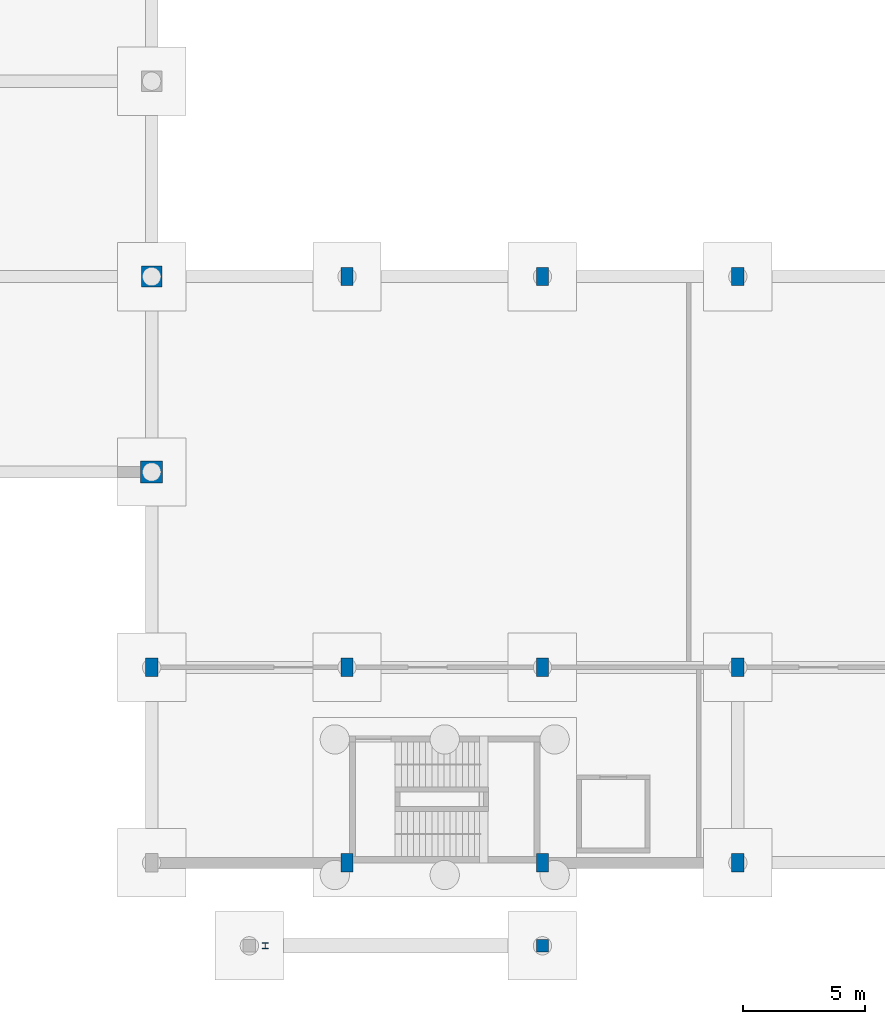
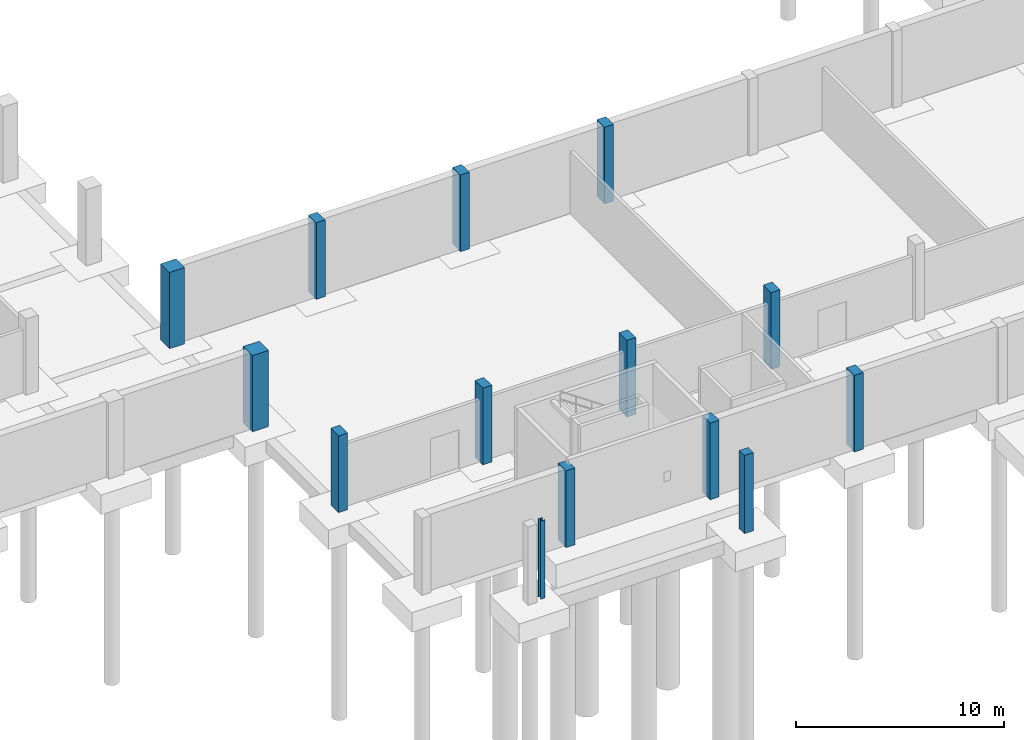
# One storey, part 9 of 29: 14 columns.
"""IFC4 building model written with IfcOpenShell, lengths in metres."""

from ifc_helpers import new_model, si_unit, direction, frame, origin, origin_2d, place, context, subcontext, project, spatial, rectangle, i_section, extrude, material, material_profile, profile_set, type_object, element, save


model = new_model("IFC4")

# Units and contexts
model_context = context("Model", 3, precision=1e-05, world=origin(), true_north=direction((0.0, 1.0)))
body_context = subcontext(model_context, "Body", "Model", "MODEL_VIEW")
ifc_project = project(units=[si_unit("LENGTHUNIT", "METRE"), si_unit("AREAUNIT", "SQUARE_METRE"), si_unit("VOLUMEUNIT", "CUBIC_METRE"), si_unit("PLANEANGLEUNIT", "RADIAN"), si_unit("MASSUNIT", "GRAM", prefix="KILO")], contexts=[model_context])

# Site, building, storey
site_placement = place(None, origin())
site = spatial("IfcSite", under=ifc_project, at=site_placement, CompositionType="ELEMENT")
building_placement = place(site_placement, origin())
building = spatial("IfcBuilding", under=site, at=building_placement, Name="Drelvana Railside Aquatics Centre", CompositionType="ELEMENT")
storey_placement = place(building_placement, frame((0.0, 0.0, -4.800048828125)))
storey = spatial("IfcBuildingStorey", under=building, at=storey_placement, Name="B1", CompositionType="ELEMENT", Elevation=-4.800048828125)

# Columns
ifc_material_1 = material(Name="Concrete C40/50", Category="concrete")
ifc_material_profile_1 = material_profile(ifc_material_1, rectangle(XDim=0.5, YDim=0.5, at=origin_2d()), Name="RC 500x500")
ifc_profile_set_1 = profile_set([ifc_material_profile_1], Name="Concrete C40/50")
column_type_1 = type_object("IfcColumnType", Name="STR-COL-RC-500x500", PredefinedType="COLUMN", material=ifc_profile_set_1)
column_1_placement = place(storey_placement, frame((112.0, -3.39990234375, 0.0), z_axis=(0.0, 0.0, 1.0), x_axis=(1.0, 0.0, 0.0)))
element("IfcColumn", 1, at=column_1_placement, inside=storey, type_object=column_type_1, Name="Column C-02 (B1)", PredefinedType="COLUMN", context=body_context, shape_type="SweptSolid", body=[
    extrude(rectangle(XDim=0.5, YDim=0.5, at=origin_2d()), origin(), (0.0, 0.0, 1.0), 4.590087890625),
])
ifc_material_profile_2 = material_profile(ifc_material_1, rectangle(XDim=0.5, YDim=0.75, at=origin_2d()), Name="RC 500x750")
ifc_profile_set_2 = profile_set([ifc_material_profile_2], Name="Concrete C40/50")
column_type_2 = type_object("IfcColumnType", Name="STR-COL-RC-500x750", PredefinedType="COLUMN", material=ifc_profile_set_2)
for number, where, z_axis, x_axis, name in (
    (2, (96.0, 8.0, 0.0), (0.0, 0.0, 1.0), (1.0, 0.0, 0.0), "Column C-12 (B1)"),
    (3, (104.0, 0.0, 0.0), (0.0, 0.0, 1.0), (1.0, 0.0, 0.0), "Column C-12 (B1)"),
    (4, (104.0, 8.0, 0.0), (0.0, 0.0, 1.0), (1.0, 0.0, 0.0), "Column C-12 (B1)"),
    (5, (104.0, 24.0, 0.0), (0.0, 0.0, 1.0), (1.0, 0.0, 0.0), "Column C-12 (B1)"),
    (6, (112.0, 0.0, 0.0), (0.0, 0.0, 1.0), (1.0, 0.0, 0.0), "Column C-12 (B1)"),
    (7, (112.0, 8.0, 0.0), (0.0, 0.0, 1.0), (1.0, 0.0, 0.0), "Column C-12 (B1)"),
    (8, (112.0, 24.0, 0.0), (0.0, 0.0, 1.0), (1.0, 0.0, 0.0), "Column C-12 (B1)"),
    (9, (120.0, 0.0, 0.0), (0.0, 0.0, 1.0), (1.0, 0.0, 0.0), "Column C-12 (B1)"),
    (10, (120.0, 8.0, 0.0), (0.0, 0.0, 1.0), (1.0, 0.0, 0.0), "Column C-12 (B1)"),
    (11, (120.0, 24.0, 0.0), (0.0, 0.0, 1.0), (1.0, 0.0, 0.0), "Column C-12 (B1)"),
):
    element("IfcColumn", number, at=place(storey_placement, frame(where, z_axis=z_axis, x_axis=x_axis)), inside=storey, type_object=column_type_2, Name=name, PredefinedType="COLUMN", context=body_context, shape_type="SweptSolid", body=[
        extrude(rectangle(XDim=0.5, YDim=0.75, at=origin_2d()), origin(), (0.0, 0.0, 1.0), 4.5),
    ])
ifc_material_profile_3 = material_profile(ifc_material_1, rectangle(XDim=0.85009765625, YDim=0.85009765625, at=origin_2d()), Name="RC 850x850")
ifc_profile_set_3 = profile_set([ifc_material_profile_3], Name="Concrete C40/50")
column_type_3 = type_object("IfcColumnType", Name="STR-COL-RC-850x850", PredefinedType="COLUMN", material=ifc_profile_set_3)
column_2_placement = place(storey_placement, frame((96.0, 24.0, 0.0), z_axis=(0.0, 0.0, 1.0), x_axis=(1.0, 0.0, 0.0)))
element("IfcColumn", 12, at=column_2_placement, inside=storey, type_object=column_type_3, Name="Column C-09 (B1)", PredefinedType="COLUMN", context=body_context, shape_type="SweptSolid", body=[
    extrude(rectangle(XDim=0.85009765625, YDim=0.85009765625, at=origin_2d()), origin(), (0.0, 0.0, 1.0), 4.469970703125),
])
ifc_material_profile_4 = material_profile(ifc_material_1, rectangle(XDim=0.89990234375, YDim=0.89990234375, at=origin_2d()), Name="RC 900x900")
ifc_profile_set_4 = profile_set([ifc_material_profile_4], Name="Concrete C40/50")
column_type_4 = type_object("IfcColumnType", Name="STR-COL-RC-900x900", PredefinedType="COLUMN", material=ifc_profile_set_4)
column_3_placement = place(storey_placement, frame((96.0, 16.0, 0.0), z_axis=(0.0, 0.0, 1.0), x_axis=(1.0, 0.0, 0.0)))
element("IfcColumn", 13, at=column_3_placement, inside=storey, type_object=column_type_4, Name="Column C-10 (B1)", PredefinedType="COLUMN", context=body_context, shape_type="SweptSolid", body=[
    extrude(rectangle(XDim=0.89990234375, YDim=0.89990234375, at=origin_2d()), origin(), (0.0, 0.0, 1.0), 4.469970703125),
])
ifc_material_2 = material(Name="Structural steel S355", Category="steel")
ifc_material_profile_5 = material_profile(ifc_material_2, i_section(OverallWidth=0.239990234375, OverallDepth=0.239990234375, WebThickness=0.010009765625, FlangeThickness=0.01708984375, at=origin_2d()), Name="HEB 240")
ifc_profile_set_5 = profile_set([ifc_material_profile_5], Name="Structural steel S355")
column_type_5 = type_object("IfcColumnType", Name="STR-SCOL-HEB-240", PredefinedType="COLUMN", material=ifc_profile_set_5)
column_4_placement = place(storey_placement, frame((100.64990234375, -3.39990234375, 0.0), z_axis=(0.0, 0.0, 1.0), x_axis=(1.0, 0.0, 0.0)))
element("IfcColumn", 14, at=column_4_placement, inside=storey, type_object=column_type_5, Name="Forecourt pilaster SC-00 #1", PredefinedType="COLUMN", context=body_context, shape_type="SweptSolid", body=[
    extrude(i_section(OverallWidth=0.239990234375, OverallDepth=0.239990234375, WebThickness=0.010009765625, FlangeThickness=0.01708984375, at=origin_2d()), origin(), (0.0, 0.0, 1.0), 4.590087890625),
])

save(model, "model.ifc")
